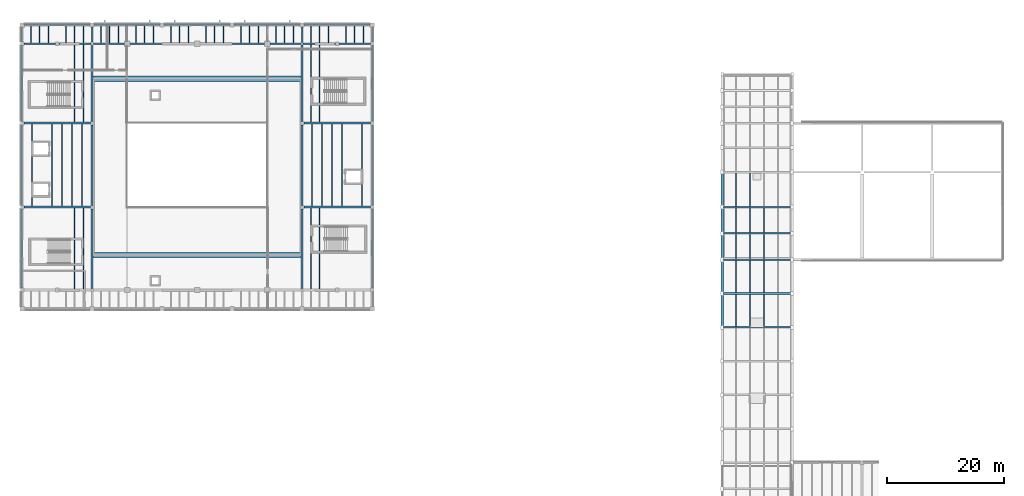
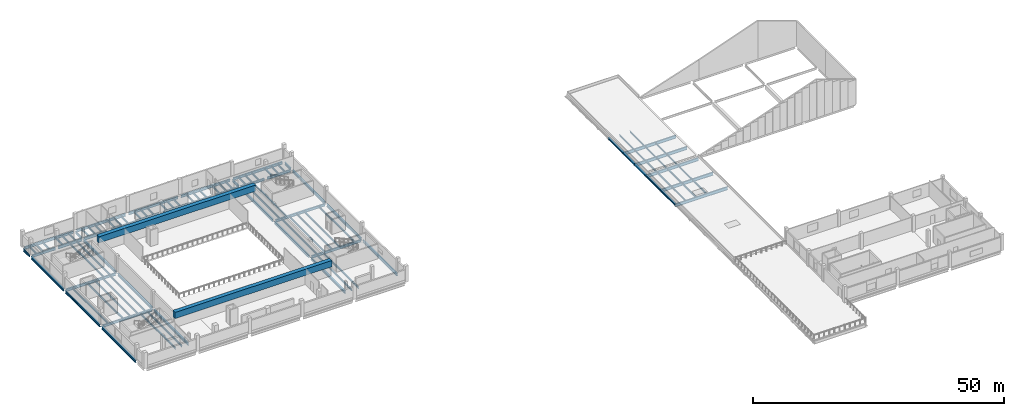
# One storey, part 3 of 19: 107 beams.
"""IFC4 building model written with IfcOpenShell, lengths in metres."""

from ifc_helpers import new_model, si_unit, direction, frame, origin, origin_2d, place, context, subcontext, project, spatial, rectangle, i_section, extrude, material, material_profile, profile_set, type_object, element, save


model = new_model("IFC4")

# Units and contexts
model_context = context("Model", 3, precision=1e-05, world=origin(), true_north=direction((0.0, 1.0)))
body_context = subcontext(model_context, "Body", "Model", "MODEL_VIEW")
ifc_project = project(units=[si_unit("LENGTHUNIT", "METRE"), si_unit("AREAUNIT", "SQUARE_METRE"), si_unit("VOLUMEUNIT", "CUBIC_METRE"), si_unit("PLANEANGLEUNIT", "RADIAN"), si_unit("MASSUNIT", "GRAM", prefix="KILO")], contexts=[model_context])

# Site, building, storey
site_placement = place(None, origin())
site = spatial("IfcSite", under=ifc_project, at=site_placement, CompositionType="ELEMENT")
building_placement = place(site_placement, origin())
building = spatial("IfcBuilding", under=site, at=building_placement, Name="Kelmvaro Bay Concert Hall", CompositionType="ELEMENT")
storey_placement = place(building_placement, frame((0.0, 0.0, 18.300048828125)))
storey = spatial("IfcBuildingStorey", under=building, at=storey_placement, Name="L04", CompositionType="ELEMENT", Elevation=18.300048828125)

# Beams
ifc_material_1 = material(Name="Steel ASTM A992 Grade 50", Category="steel")
ifc_material_profile_1 = material_profile(ifc_material_1, i_section(OverallWidth=0.19189453125, OverallDepth=0.4619140625, WebThickness=0.010498046875, FlangeThickness=0.017578125, at=origin_2d()), Name="W18X60")
ifc_profile_set_1 = profile_set([ifc_material_profile_1], Name="Steel ASTM A992 Grade 50")
beam_type_1 = type_object("IfcBeamType", Name="Acoustic Box Floor Joist W18x60", PredefinedType="JOIST", material=ifc_profile_set_1)
for number, where, z_axis, x_axis, name in (
    (1, (9.0, 68.741943359375, -0.531005859375), (0.0, 1.0, 0.0), (-1.0, 0.0, 0.0), "L04 Floor Joist JST-L04-1857"),
    (2, (10.5, 68.741943359375, -0.531005859375), (0.0, 1.0, 0.0), (-1.0, 0.0, 0.0), "L04 Floor Joist JST-L04-1858"),
    (3, (49.5, 68.741943359375, -0.531005859375), (0.0, 1.0, 0.0), (-1.0, 0.0, 0.0), "L04 Floor Joist JST-L04-1859"),
    (4, (51.0, 68.741943359375, -0.531005859375), (0.0, 1.0, 0.0), (-1.0, 0.0, 0.0), "L04 Floor Joist JST-L04-1860"),
):
    element("IfcBeam", number, at=place(storey_placement, frame(where, z_axis=z_axis, x_axis=x_axis)), inside=storey, type_object=beam_type_1, Name=name, PredefinedType="JOIST", context=body_context, shape_type="SweptSolid", body=[
        extrude(i_section(OverallWidth=0.19189453125, OverallDepth=0.4619140625, WebThickness=0.010498046875, FlangeThickness=0.017578125, at=origin_2d()), origin(), (0.0, 0.0, 1.0), 13.89599609375),
    ])
for number, where, z_axis, x_axis, name in (
    (5, (1.71435546875, 82.9619140625, -0.531005859375), (0.0, 1.0, 0.0), (-1.0, 0.0, 0.0), "L04 Floor Joist JST-L04-1861"),
    (6, (5.142822265625, 82.9619140625, -0.531005859375), (0.0, 1.0, 0.0), (-1.0, 0.0, 0.0), "L04 Floor Joist JST-L04-1862"),
    (7, (6.857177734375, 82.9619140625, -0.531005859375), (0.0, 1.0, 0.0), (-1.0, 0.0, 0.0), "L04 Floor Joist JST-L04-1863"),
    (8, (8.5712890625, 82.9619140625, -0.531005859375), (0.0, 1.0, 0.0), (-1.0, 0.0, 0.0), "L04 Floor Joist JST-L04-1864"),
    (9, (10.28564453125, 82.9619140625, -0.531005859375), (0.0, 1.0, 0.0), (-1.0, 0.0, 0.0), "L04 Floor Joist JST-L04-1865"),
    (10, (49.71435546875, 82.9619140625, -0.531005859375), (0.0, 1.0, 0.0), (-1.0, 0.0, 0.0), "L04 Floor Joist JST-L04-1866"),
    (11, (51.4287109375, 82.9619140625, -0.531005859375), (0.0, 1.0, 0.0), (-1.0, 0.0, 0.0), "L04 Floor Joist JST-L04-1867"),
    (12, (53.142822265625, 82.9619140625, -0.531005859375), (0.0, 1.0, 0.0), (-1.0, 0.0, 0.0), "L04 Floor Joist JST-L04-1868"),
    (13, (54.857177734375, 82.9619140625, -0.531005859375), (0.0, 1.0, 0.0), (-1.0, 0.0, 0.0), "L04 Floor Joist JST-L04-1869"),
    (14, (58.28564453125, 82.9619140625, -0.531005859375), (0.0, 1.0, 0.0), (-1.0, 0.0, 0.0), "L04 Floor Joist JST-L04-1870"),
):
    element("IfcBeam", number, at=place(storey_placement, frame(where, z_axis=z_axis, x_axis=x_axis)), inside=storey, type_object=beam_type_1, Name=name, PredefinedType="JOIST", context=body_context, shape_type="SweptSolid", body=[
        extrude(i_section(OverallWidth=0.19189453125, OverallDepth=0.4619140625, WebThickness=0.010498046875, FlangeThickness=0.017578125, at=origin_2d()), origin(), (0.0, 0.0, 1.0), 14.076171875),
    ])
for number, where, z_axis, x_axis, name in (
    (15, (9.0, 97.362060546875, -0.531005859375), (0.0, 1.0, 0.0), (-1.0, 0.0, 0.0), "L04 Floor Joist JST-L04-1871"),
    (16, (10.5, 97.362060546875, -0.531005859375), (0.0, 1.0, 0.0), (-1.0, 0.0, 0.0), "L04 Floor Joist JST-L04-1872"),
    (17, (49.5, 97.362060546875, -0.531005859375), (0.0, 1.0, 0.0), (-1.0, 0.0, 0.0), "L04 Floor Joist JST-L04-1873"),
    (18, (51.0, 97.362060546875, -0.531005859375), (0.0, 1.0, 0.0), (-1.0, 0.0, 0.0), "L04 Floor Joist JST-L04-1874"),
):
    element("IfcBeam", number, at=place(storey_placement, frame(where, z_axis=z_axis, x_axis=x_axis)), inside=storey, type_object=beam_type_1, Name=name, PredefinedType="JOIST", context=body_context, shape_type="SweptSolid", body=[
        extrude(i_section(OverallWidth=0.19189453125, OverallDepth=0.4619140625, WebThickness=0.010498046875, FlangeThickness=0.017578125, at=origin_2d()), origin(), (0.0, 0.0, 1.0), 13.2958984375),
    ])
ifc_material_2 = material(Name="Concrete C40/50", Category="concrete")
ifc_material_profile_2 = material_profile(ifc_material_2, rectangle(XDim=0.89990234375, YDim=1.5, at=origin_2d()), Name="RC-TRG-900X1500")
ifc_profile_set_2 = profile_set([ifc_material_profile_2], Name="Concrete C40/50")
beam_type_2 = type_object("IfcBeamType", Name="Acoustic Isolation Ring Girder RC900x1500", PredefinedType="BEAM", material=ifc_profile_set_2)
for number, where, z_axis, x_axis, name in (
    (19, (12.0048828125, 74.580078125, 3.139892578125), (1.0, 0.0, 0.0), (0.0, 1.0, 0.0), "V1 Acoustic Isolation Ring Girder S"),
    (20, (12.0048828125, 104.820068359375, 3.139892578125), (1.0, 0.0, 0.0), (0.0, 1.0, 0.0), "V1 Acoustic Isolation Ring Girder N"),
):
    element("IfcBeam", number, at=place(storey_placement, frame(where, z_axis=z_axis, x_axis=x_axis)), inside=storey, type_object=beam_type_2, Name=name, PredefinedType="BEAM", context=body_context, shape_type="SweptSolid", body=[
        extrude(rectangle(XDim=0.89990234375, YDim=1.5, at=origin_2d()), origin(), (0.0, 0.0, 1.0), 35.990234375),
    ])
ifc_material_3 = material(Name="Steel ASTM A992 Grade 50", Category="steel")
ifc_material_profile_3 = material_profile(ifc_material_3, i_section(OverallWidth=0.177978515625, OverallDepth=0.406005859375, WebThickness=0.0078125, FlangeThickness=0.0126953125, at=origin_2d()), Name="W16X40")
ifc_profile_set_3 = profile_set([ifc_material_profile_3], Name="Steel ASTM A992 Grade 50")
beam_type_3 = type_object("IfcBeamType", Name="Bridge Deck Floor Joist W16x40", PredefinedType="JOIST", material=ifc_profile_set_3)
for number, where, z_axis, x_axis, name in (
    (21, (122.39990234375, 62.33349609375, -0.483154296875), (0.0, 1.0, 0.0), (-1.0, 0.0, 0.0), "Bridge Deck Joist L04-13"),
    (22, (124.800048828125, 62.33349609375, -0.483154296875), (0.0, 1.0, 0.0), (-1.0, 0.0, 0.0), "Bridge Deck Joist L04-13"),
    (23, (127.199951171875, 62.33349609375, -0.483154296875), (0.0, 1.0, 0.0), (-1.0, 0.0, 0.0), "Bridge Deck Joist L04-13"),
    (24, (122.39990234375, 68.133544921875, -0.483154296875), (0.0, 1.0, 0.0), (-1.0, 0.0, 0.0), "Bridge Deck Joist L04-14"),
    (25, (124.800048828125, 68.133544921875, -0.483154296875), (0.0, 1.0, 0.0), (-1.0, 0.0, 0.0), "Bridge Deck Joist L04-14"),
    (26, (127.199951171875, 68.133544921875, -0.483154296875), (0.0, 1.0, 0.0), (-1.0, 0.0, 0.0), "Bridge Deck Joist L04-14"),
):
    element("IfcBeam", number, at=place(storey_placement, frame(where, z_axis=z_axis, x_axis=x_axis)), inside=storey, type_object=beam_type_3, Name=name, PredefinedType="JOIST", context=body_context, shape_type="SweptSolid", body=[
        extrude(i_section(OverallWidth=0.177978515625, OverallDepth=0.406005859375, WebThickness=0.0078125, FlangeThickness=0.0126953125, at=origin_2d()), origin(), (0.0, 0.0, 1.0), 5.532958984375),
    ])
for number, where, z_axis, x_axis, name in (
    (27, (122.39990234375, 73.93359375, -0.483154296875), (0.0, 1.0, 0.0), (-1.0, 0.0, 0.0), "Bridge Deck Joist L04-15"),
    (28, (124.800048828125, 73.93359375, -0.483154296875), (0.0, 1.0, 0.0), (-1.0, 0.0, 0.0), "Bridge Deck Joist L04-15"),
    (29, (127.199951171875, 73.93359375, -0.483154296875), (0.0, 1.0, 0.0), (-1.0, 0.0, 0.0), "Bridge Deck Joist L04-15"),
    (30, (122.39990234375, 78.43359375, -0.483154296875), (0.0, 1.0, 0.0), (-1.0, 0.0, 0.0), "Bridge Deck Joist L04-16"),
    (31, (124.800048828125, 78.43359375, -0.483154296875), (0.0, 1.0, 0.0), (-1.0, 0.0, 0.0), "Bridge Deck Joist L04-16"),
    (32, (127.199951171875, 78.43359375, -0.483154296875), (0.0, 1.0, 0.0), (-1.0, 0.0, 0.0), "Bridge Deck Joist L04-16"),
):
    element("IfcBeam", number, at=place(storey_placement, frame(where, z_axis=z_axis, x_axis=x_axis)), inside=storey, type_object=beam_type_3, Name=name, PredefinedType="JOIST", context=body_context, shape_type="SweptSolid", body=[
        extrude(i_section(OverallWidth=0.177978515625, OverallDepth=0.406005859375, WebThickness=0.0078125, FlangeThickness=0.0126953125, at=origin_2d()), origin(), (0.0, 0.0, 1.0), 4.23291015625),
    ])
for number, where, z_axis, x_axis, name in (
    (33, (122.39990234375, 82.93359375, -0.483154296875), (0.0, 1.0, 0.0), (-1.0, 0.0, 0.0), "Bridge Deck Joist L04-17"),
    (34, (124.800048828125, 82.93359375, -0.483154296875), (0.0, 1.0, 0.0), (-1.0, 0.0, 0.0), "Bridge Deck Joist L04-17"),
):
    element("IfcBeam", number, at=place(storey_placement, frame(where, z_axis=z_axis, x_axis=x_axis)), inside=storey, type_object=beam_type_3, Name=name, PredefinedType="JOIST", context=body_context, shape_type="SweptSolid", body=[
        extrude(i_section(OverallWidth=0.177978515625, OverallDepth=0.406005859375, WebThickness=0.0078125, FlangeThickness=0.0126953125, at=origin_2d()), origin(), (0.0, 0.0, 1.0), 5.73291015625),
    ])
ifc_material_4 = material(Name="Steel ASTM A992 Grade 50", Category="steel")
ifc_material_profile_4 = material_profile(ifc_material_4, i_section(OverallWidth=0.26708984375, OverallDepth=0.761962890625, WebThickness=0.014404296875, FlangeThickness=0.021484375, at=origin_2d()), Name="W30X116")
ifc_profile_set_4 = profile_set([ifc_material_profile_4], Name="Steel ASTM A992 Grade 50")
beam_type_4 = type_object("IfcBeamType", Name="Bridge Transverse Floor Girder W30x116", PredefinedType="BEAM", material=ifc_profile_set_4)
for number, where, z_axis, x_axis, name in (
    (35, (120.0400390625, 62.199951171875, -0.6611328125), (1.0, 0.0, 0.0), (0.0, 1.0, 0.0), "Bridge Transverse Floor Girder L04-13"),
    (36, (120.0400390625, 68.0, -0.6611328125), (1.0, 0.0, 0.0), (0.0, 1.0, 0.0), "Bridge Transverse Floor Girder L04-14"),
    (37, (120.0400390625, 73.800048828125, -0.6611328125), (1.0, 0.0, 0.0), (0.0, 1.0, 0.0), "Bridge Transverse Floor Girder L04-15"),
    (38, (120.0400390625, 78.300048828125, -0.6611328125), (1.0, 0.0, 0.0), (0.0, 1.0, 0.0), "Bridge Transverse Floor Girder L04-16"),
    (39, (120.0400390625, 82.800048828125, -0.6611328125), (1.0, 0.0, 0.0), (0.0, 1.0, 0.0), "Bridge Transverse Floor Girder L04-17"),
):
    element("IfcBeam", number, at=place(storey_placement, frame(where, z_axis=z_axis, x_axis=x_axis)), inside=storey, type_object=beam_type_4, Name=name, PredefinedType="BEAM", context=body_context, shape_type="SweptSolid", body=[
        extrude(i_section(OverallWidth=0.26708984375, OverallDepth=0.761962890625, WebThickness=0.014404296875, FlangeThickness=0.021484375, at=origin_2d()), origin(), (0.0, 0.0, 1.0), 11.919921875),
    ])
ifc_material_5 = material(Name="Steel ASTM A992 Grade 50", Category="steel")
ifc_material_profile_5 = material_profile(ifc_material_5, i_section(OverallWidth=0.40087890625, OverallDepth=0.39892578125, WebThickness=0.02490234375, FlangeThickness=0.03955078125, at=origin_2d()), Name="W14X211")
ifc_profile_set_5 = profile_set([ifc_material_profile_5], Name="Steel ASTM A992 Grade 50")
beam_type_5 = type_object("IfcBeamType", Name="Bridge Truss Top Chord W14x211", PredefinedType="BEAM", material=ifc_profile_set_5)
for number, where, z_axis, x_axis, name in (
    (40, (120.0, 62.199951171875, -0.4794921875), (0.0, 1.0, 0.0), (-1.0, 0.0, 0.0), "Bridge Truss W Top Chord 13"),
    (41, (120.0, 68.0, -0.4794921875), (0.0, 1.0, 0.0), (-1.0, 0.0, 0.0), "Bridge Truss W Top Chord 14"),
):
    element("IfcBeam", number, at=place(storey_placement, frame(where, z_axis=z_axis, x_axis=x_axis)), inside=storey, type_object=beam_type_5, Name=name, PredefinedType="BEAM", context=body_context, shape_type="SweptSolid", body=[
        extrude(i_section(OverallWidth=0.40087890625, OverallDepth=0.39892578125, WebThickness=0.02490234375, FlangeThickness=0.03955078125, at=origin_2d()), origin(), (0.0, 0.0, 1.0), 5.800048828125),
    ])
for number, where, z_axis, x_axis, name in (
    (42, (120.0, 73.800048828125, -0.4794921875), (0.0, 1.0, 0.0), (-1.0, 0.0, 0.0), "Bridge Truss W Top Chord 15"),
    (43, (120.0, 78.300048828125, -0.4794921875), (0.0, 1.0, 0.0), (-1.0, 0.0, 0.0), "Bridge Truss W Top Chord 16"),
):
    element("IfcBeam", number, at=place(storey_placement, frame(where, z_axis=z_axis, x_axis=x_axis)), inside=storey, type_object=beam_type_5, Name=name, PredefinedType="BEAM", context=body_context, shape_type="SweptSolid", body=[
        extrude(i_section(OverallWidth=0.40087890625, OverallDepth=0.39892578125, WebThickness=0.02490234375, FlangeThickness=0.03955078125, at=origin_2d()), origin(), (0.0, 0.0, 1.0), 4.5),
    ])
beam_1_placement = place(storey_placement, frame((120.0, 82.800048828125, -0.4794921875), z_axis=(0.0, 1.0, 0.0), x_axis=(-1.0, 0.0, 0.0)))
element("IfcBeam", 44, at=beam_1_placement, inside=storey, type_object=beam_type_5, Name="Bridge Truss W Top Chord 17", PredefinedType="BEAM", context=body_context, shape_type="SweptSolid", body=[
    extrude(i_section(OverallWidth=0.40087890625, OverallDepth=0.39892578125, WebThickness=0.02490234375, FlangeThickness=0.03955078125, at=origin_2d()), origin(), (0.0, 0.0, 1.0), 6.0),
])
ifc_material_6 = material(Name="Steel ASTM A992 Grade 50", Category="steel")
ifc_material_profile_6 = material_profile(ifc_material_6, i_section(OverallWidth=0.323974609375, OverallDepth=0.611083984375, WebThickness=0.0126953125, FlangeThickness=0.01904296875, at=origin_2d()), Name="W24X104")
ifc_profile_set_6 = profile_set([ifc_material_profile_6], Name="Steel ASTM A992 Grade 50")
beam_type_6 = type_object("IfcBeamType", Name="Foyer Frame Girder W24x104", PredefinedType="BEAM", material=ifc_profile_set_6)
for number, where, z_axis, x_axis, name in (
    (45, (0.324951171875, 82.800048828125, -0.60546875), (1.0, 0.0, 0.0), (0.0, 1.0, 0.0), "L04 Girder BM-L04-EW-1730"),
    (46, (48.324951171875, 82.800048828125, -0.60546875), (1.0, 0.0, 0.0), (0.0, 1.0, 0.0), "L04 Girder BM-L04-EW-1731"),
    (47, (0.324951171875, 97.199951171875, -0.60546875), (1.0, 0.0, 0.0), (0.0, 1.0, 0.0), "L04 Girder BM-L04-EW-1735"),
    (48, (48.324951171875, 97.199951171875, -0.60546875), (1.0, 0.0, 0.0), (0.0, 1.0, 0.0), "L04 Girder BM-L04-EW-1736"),
):
    element("IfcBeam", number, at=place(storey_placement, frame(where, z_axis=z_axis, x_axis=x_axis)), inside=storey, type_object=beam_type_6, Name=name, PredefinedType="BEAM", context=body_context, shape_type="SweptSolid", body=[
        extrude(i_section(OverallWidth=0.323974609375, OverallDepth=0.611083984375, WebThickness=0.0126953125, FlangeThickness=0.01904296875, at=origin_2d()), origin(), (0.0, 0.0, 1.0), 11.35009765625),
    ])
beam_2_placement = place(storey_placement, frame((0.324951171875, 110.820068359375, -0.60546875), z_axis=(1.0, 0.0, 0.0), x_axis=(0.0, 1.0, 0.0)))
element("IfcBeam", 49, at=beam_2_placement, inside=storey, type_object=beam_type_6, Name="L04 Girder BM-L04-EW-1740", PredefinedType="BEAM", context=body_context, shape_type="SweptSolid", body=[
    extrude(i_section(OverallWidth=0.323974609375, OverallDepth=0.611083984375, WebThickness=0.0126953125, FlangeThickness=0.01904296875, at=origin_2d()), origin(), (0.0, 0.0, 1.0), 5.35009765625),
])
beam_3_placement = place(storey_placement, frame((6.324951171875, 110.820068359375, -0.60546875), z_axis=(1.0, 0.0, 0.0), x_axis=(0.0, 1.0, 0.0)))
element("IfcBeam", 50, at=beam_3_placement, inside=storey, type_object=beam_type_6, Name="L04 Girder BM-L04-EW-1741", PredefinedType="BEAM", context=body_context, shape_type="SweptSolid", body=[
    extrude(i_section(OverallWidth=0.323974609375, OverallDepth=0.611083984375, WebThickness=0.0126953125, FlangeThickness=0.01904296875, at=origin_2d()), origin(), (0.0, 0.0, 1.0), 5.47509765625),
])
beam_4_placement = place(storey_placement, frame((12.199951171875, 110.820068359375, -0.60546875), z_axis=(1.0, 0.0, 0.0), x_axis=(0.0, 1.0, 0.0)))
element("IfcBeam", 51, at=beam_4_placement, inside=storey, type_object=beam_type_6, Name="L04 Girder BM-L04-EW-1742", PredefinedType="BEAM", context=body_context, shape_type="SweptSolid", body=[
    extrude(i_section(OverallWidth=0.323974609375, OverallDepth=0.611083984375, WebThickness=0.0126953125, FlangeThickness=0.01904296875, at=origin_2d()), origin(), (0.0, 0.0, 1.0), 5.35009765625),
])
for number, where, z_axis, x_axis, name in (
    (52, (18.449951171875, 110.820068359375, -0.60546875), (1.0, 0.0, 0.0), (0.0, 1.0, 0.0), "L04 Girder BM-L04-EW-1743"),
    (53, (30.449951171875, 110.820068359375, -0.60546875), (1.0, 0.0, 0.0), (0.0, 1.0, 0.0), "L04 Girder BM-L04-EW-1744"),
):
    element("IfcBeam", number, at=place(storey_placement, frame(where, z_axis=z_axis, x_axis=x_axis)), inside=storey, type_object=beam_type_6, Name=name, PredefinedType="BEAM", context=body_context, shape_type="SweptSolid", body=[
        extrude(i_section(OverallWidth=0.323974609375, OverallDepth=0.611083984375, WebThickness=0.0126953125, FlangeThickness=0.01904296875, at=origin_2d()), origin(), (0.0, 0.0, 1.0), 11.10009765625),
    ])
beam_5_placement = place(storey_placement, frame((42.449951171875, 110.820068359375, -0.60546875), z_axis=(1.0, 0.0, 0.0), x_axis=(0.0, 1.0, 0.0)))
element("IfcBeam", 54, at=beam_5_placement, inside=storey, type_object=beam_type_6, Name="L04 Girder BM-L04-EW-1745", PredefinedType="BEAM", context=body_context, shape_type="SweptSolid", body=[
    extrude(i_section(OverallWidth=0.323974609375, OverallDepth=0.611083984375, WebThickness=0.0126953125, FlangeThickness=0.01904296875, at=origin_2d()), origin(), (0.0, 0.0, 1.0), 5.375),
])
beam_6_placement = place(storey_placement, frame((48.175048828125, 110.820068359375, -0.60546875), z_axis=(1.0, 0.0, 0.0), x_axis=(0.0, 1.0, 0.0)))
element("IfcBeam", 55, at=beam_6_placement, inside=storey, type_object=beam_type_6, Name="L04 Girder BM-L04-EW-1746", PredefinedType="BEAM", context=body_context, shape_type="SweptSolid", body=[
    extrude(i_section(OverallWidth=0.323974609375, OverallDepth=0.611083984375, WebThickness=0.0126953125, FlangeThickness=0.01904296875, at=origin_2d()), origin(), (0.0, 0.0, 1.0), 5.5),
])
beam_7_placement = place(storey_placement, frame((54.324951171875, 110.820068359375, -0.60546875), z_axis=(1.0, 0.0, 0.0), x_axis=(0.0, 1.0, 0.0)))
element("IfcBeam", 56, at=beam_7_placement, inside=storey, type_object=beam_type_6, Name="L04 Girder BM-L04-EW-1747", PredefinedType="BEAM", context=body_context, shape_type="SweptSolid", body=[
    extrude(i_section(OverallWidth=0.323974609375, OverallDepth=0.611083984375, WebThickness=0.0126953125, FlangeThickness=0.01904296875, at=origin_2d()), origin(), (0.0, 0.0, 1.0), 5.35009765625),
])
beam_8_placement = place(storey_placement, frame((0.375, 114.0, -0.60546875), z_axis=(1.0, 0.0, 0.0), x_axis=(0.0, 1.0, 0.0)))
element("IfcBeam", 57, at=beam_8_placement, inside=storey, type_object=beam_type_6, Name="L04 Girder BM-L04-EW-1748", PredefinedType="BEAM", context=body_context, shape_type="SweptSolid", body=[
    extrude(i_section(OverallWidth=0.323974609375, OverallDepth=0.611083984375, WebThickness=0.0126953125, FlangeThickness=0.01904296875, at=origin_2d()), origin(), (0.0, 0.0, 1.0), 11.27490234375),
])
for number, where, z_axis, x_axis, name in (
    (58, (12.35009765625, 114.0, -0.60546875), (1.0, 0.0, 0.0), (0.0, 1.0, 0.0), "L04 Girder BM-L04-EW-1749"),
    (59, (24.35009765625, 114.0, -0.60546875), (1.0, 0.0, 0.0), (0.0, 1.0, 0.0), "L04 Girder BM-L04-EW-1750"),
    (60, (36.35009765625, 114.0, -0.60546875), (1.0, 0.0, 0.0), (0.0, 1.0, 0.0), "L04 Girder BM-L04-EW-1751"),
):
    element("IfcBeam", number, at=place(storey_placement, frame(where, z_axis=z_axis, x_axis=x_axis)), inside=storey, type_object=beam_type_6, Name=name, PredefinedType="BEAM", context=body_context, shape_type="SweptSolid", body=[
        extrude(i_section(OverallWidth=0.323974609375, OverallDepth=0.611083984375, WebThickness=0.0126953125, FlangeThickness=0.01904296875, at=origin_2d()), origin(), (0.0, 0.0, 1.0), 11.2998046875),
    ])
beam_9_placement = place(storey_placement, frame((48.35009765625, 114.0, -0.60546875), z_axis=(1.0, 0.0, 0.0), x_axis=(0.0, 1.0, 0.0)))
element("IfcBeam", 61, at=beam_9_placement, inside=storey, type_object=beam_type_6, Name="L04 Girder BM-L04-EW-1752", PredefinedType="BEAM", context=body_context, shape_type="SweptSolid", body=[
    extrude(i_section(OverallWidth=0.323974609375, OverallDepth=0.611083984375, WebThickness=0.0126953125, FlangeThickness=0.01904296875, at=origin_2d()), origin(), (0.0, 0.0, 1.0), 11.27490234375),
])
beam_10_placement = place(storey_placement, frame((0.0, 68.905029296875, -0.60546875), z_axis=(0.0, 1.0, 0.0), x_axis=(-1.0, 0.0, 0.0)))
element("IfcBeam", 62, at=beam_10_placement, inside=storey, type_object=beam_type_6, Name="L04 Girder BM-L04-NS-1754", PredefinedType="BEAM", context=body_context, shape_type="SweptSolid", body=[
    extrude(i_section(OverallWidth=0.323974609375, OverallDepth=0.611083984375, WebThickness=0.0126953125, FlangeThickness=0.01904296875, at=origin_2d()), origin(), (0.0, 0.0, 1.0), 13.570068359375),
])
beam_11_placement = place(storey_placement, frame((0.0, 83.125, -0.60546875), z_axis=(0.0, 1.0, 0.0), x_axis=(-1.0, 0.0, 0.0)))
element("IfcBeam", 63, at=beam_11_placement, inside=storey, type_object=beam_type_6, Name="L04 Girder BM-L04-NS-1755", PredefinedType="BEAM", context=body_context, shape_type="SweptSolid", body=[
    extrude(i_section(OverallWidth=0.323974609375, OverallDepth=0.611083984375, WebThickness=0.0126953125, FlangeThickness=0.01904296875, at=origin_2d()), origin(), (0.0, 0.0, 1.0), 13.75),
])
beam_12_placement = place(storey_placement, frame((0.0, 97.52490234375, -0.60546875), z_axis=(0.0, 1.0, 0.0), x_axis=(-1.0, 0.0, 0.0)))
element("IfcBeam", 64, at=beam_12_placement, inside=storey, type_object=beam_type_6, Name="L04 Girder BM-L04-NS-1756", PredefinedType="BEAM", context=body_context, shape_type="SweptSolid", body=[
    extrude(i_section(OverallWidth=0.323974609375, OverallDepth=0.611083984375, WebThickness=0.0126953125, FlangeThickness=0.01904296875, at=origin_2d()), origin(), (0.0, 0.0, 1.0), 12.97021484375),
])
beam_13_placement = place(storey_placement, frame((12.0, 68.85498046875, -0.60546875), z_axis=(0.0, 1.0, 0.0), x_axis=(-1.0, 0.0, 0.0)))
element("IfcBeam", 65, at=beam_13_placement, inside=storey, type_object=beam_type_6, Name="L04 Girder BM-L04-NS-1759", PredefinedType="BEAM", context=body_context, shape_type="SweptSolid", body=[
    extrude(i_section(OverallWidth=0.323974609375, OverallDepth=0.611083984375, WebThickness=0.0126953125, FlangeThickness=0.01904296875, at=origin_2d()), origin(), (0.0, 0.0, 1.0), 13.6201171875),
])
beam_14_placement = place(storey_placement, frame((12.0, 83.125, -0.60546875), z_axis=(0.0, 1.0, 0.0), x_axis=(-1.0, 0.0, 0.0)))
element("IfcBeam", 66, at=beam_14_placement, inside=storey, type_object=beam_type_6, Name="L04 Girder BM-L04-NS-1760", PredefinedType="BEAM", context=body_context, shape_type="SweptSolid", body=[
    extrude(i_section(OverallWidth=0.323974609375, OverallDepth=0.611083984375, WebThickness=0.0126953125, FlangeThickness=0.01904296875, at=origin_2d()), origin(), (0.0, 0.0, 1.0), 13.75),
])
beam_15_placement = place(storey_placement, frame((12.0, 97.52490234375, -0.60546875), z_axis=(0.0, 1.0, 0.0), x_axis=(-1.0, 0.0, 0.0)))
element("IfcBeam", 67, at=beam_15_placement, inside=storey, type_object=beam_type_6, Name="L04 Girder BM-L04-NS-1761", PredefinedType="BEAM", context=body_context, shape_type="SweptSolid", body=[
    extrude(i_section(OverallWidth=0.323974609375, OverallDepth=0.611083984375, WebThickness=0.0126953125, FlangeThickness=0.01904296875, at=origin_2d()), origin(), (0.0, 0.0, 1.0), 13.02001953125),
])
beam_16_placement = place(storey_placement, frame((48.0, 68.830078125, -0.60546875), z_axis=(0.0, 1.0, 0.0), x_axis=(-1.0, 0.0, 0.0)))
element("IfcBeam", 68, at=beam_16_placement, inside=storey, type_object=beam_type_6, Name="L04 Girder BM-L04-NS-1764", PredefinedType="BEAM", context=body_context, shape_type="SweptSolid", body=[
    extrude(i_section(OverallWidth=0.323974609375, OverallDepth=0.611083984375, WebThickness=0.0126953125, FlangeThickness=0.01904296875, at=origin_2d()), origin(), (0.0, 0.0, 1.0), 13.64501953125),
])
beam_17_placement = place(storey_placement, frame((48.0, 83.125, -0.60546875), z_axis=(0.0, 1.0, 0.0), x_axis=(-1.0, 0.0, 0.0)))
element("IfcBeam", 69, at=beam_17_placement, inside=storey, type_object=beam_type_6, Name="L04 Girder BM-L04-NS-1765", PredefinedType="BEAM", context=body_context, shape_type="SweptSolid", body=[
    extrude(i_section(OverallWidth=0.323974609375, OverallDepth=0.611083984375, WebThickness=0.0126953125, FlangeThickness=0.01904296875, at=origin_2d()), origin(), (0.0, 0.0, 1.0), 13.75),
])
beam_18_placement = place(storey_placement, frame((48.0, 97.52490234375, -0.60546875), z_axis=(0.0, 1.0, 0.0), x_axis=(-1.0, 0.0, 0.0)))
element("IfcBeam", 70, at=beam_18_placement, inside=storey, type_object=beam_type_6, Name="L04 Girder BM-L04-NS-1766", PredefinedType="BEAM", context=body_context, shape_type="SweptSolid", body=[
    extrude(i_section(OverallWidth=0.323974609375, OverallDepth=0.611083984375, WebThickness=0.0126953125, FlangeThickness=0.01904296875, at=origin_2d()), origin(), (0.0, 0.0, 1.0), 13.045166015625),
])
beam_19_placement = place(storey_placement, frame((60.0, 68.905029296875, -0.60546875), z_axis=(0.0, 1.0, 0.0), x_axis=(-1.0, 0.0, 0.0)))
element("IfcBeam", 71, at=beam_19_placement, inside=storey, type_object=beam_type_6, Name="L04 Girder BM-L04-NS-1769", PredefinedType="BEAM", context=body_context, shape_type="SweptSolid", body=[
    extrude(i_section(OverallWidth=0.323974609375, OverallDepth=0.611083984375, WebThickness=0.0126953125, FlangeThickness=0.01904296875, at=origin_2d()), origin(), (0.0, 0.0, 1.0), 13.570068359375),
])
beam_20_placement = place(storey_placement, frame((60.0, 83.125, -0.60546875), z_axis=(0.0, 1.0, 0.0), x_axis=(-1.0, 0.0, 0.0)))
element("IfcBeam", 72, at=beam_20_placement, inside=storey, type_object=beam_type_6, Name="L04 Girder BM-L04-NS-1770", PredefinedType="BEAM", context=body_context, shape_type="SweptSolid", body=[
    extrude(i_section(OverallWidth=0.323974609375, OverallDepth=0.611083984375, WebThickness=0.0126953125, FlangeThickness=0.01904296875, at=origin_2d()), origin(), (0.0, 0.0, 1.0), 13.75),
])
beam_21_placement = place(storey_placement, frame((60.0, 97.52490234375, -0.60546875), z_axis=(0.0, 1.0, 0.0), x_axis=(-1.0, 0.0, 0.0)))
element("IfcBeam", 73, at=beam_21_placement, inside=storey, type_object=beam_type_6, Name="L04 Girder BM-L04-NS-1771", PredefinedType="BEAM", context=body_context, shape_type="SweptSolid", body=[
    extrude(i_section(OverallWidth=0.323974609375, OverallDepth=0.611083984375, WebThickness=0.0126953125, FlangeThickness=0.01904296875, at=origin_2d()), origin(), (0.0, 0.0, 1.0), 12.97021484375),
])
ifc_material_7 = material(Name="Steel ASTM A992 Grade 50", Category="steel")
ifc_material_profile_7 = material_profile(ifc_material_7, i_section(OverallWidth=0.19091796875, OverallDepth=0.45703125, WebThickness=0.009033203125, FlangeThickness=0.014404296875, at=origin_2d()), Name="W18X50")
ifc_profile_set_7 = profile_set([ifc_material_profile_7], Name="Steel ASTM A992 Grade 50")
beam_type_7 = type_object("IfcBeamType", Name="Standard Composite Floor Joist W18x50", PredefinedType="JOIST", material=ifc_profile_set_7)
for number, where, z_axis, x_axis, name in (
    (74, (1.5, 110.98193359375, -0.528564453125), (0.0, 1.0, 0.0), (-1.0, 0.0, 0.0), "L04 Floor Joist JST-L04-1875"),
    (75, (3.0, 110.98193359375, -0.528564453125), (0.0, 1.0, 0.0), (-1.0, 0.0, 0.0), "L04 Floor Joist JST-L04-1876"),
    (76, (4.5, 110.98193359375, -0.528564453125), (0.0, 1.0, 0.0), (-1.0, 0.0, 0.0), "L04 Floor Joist JST-L04-1877"),
    (77, (7.5, 110.98193359375, -0.528564453125), (0.0, 1.0, 0.0), (-1.0, 0.0, 0.0), "L04 Floor Joist JST-L04-1878"),
    (78, (9.0, 110.98193359375, -0.528564453125), (0.0, 1.0, 0.0), (-1.0, 0.0, 0.0), "L04 Floor Joist JST-L04-1879"),
    (79, (10.5, 110.98193359375, -0.528564453125), (0.0, 1.0, 0.0), (-1.0, 0.0, 0.0), "L04 Floor Joist JST-L04-1880"),
    (80, (13.5, 110.98193359375, -0.528564453125), (0.0, 1.0, 0.0), (-1.0, 0.0, 0.0), "L04 Floor Joist JST-L04-1881"),
    (81, (15.0, 110.98193359375, -0.528564453125), (0.0, 1.0, 0.0), (-1.0, 0.0, 0.0), "L04 Floor Joist JST-L04-1882"),
    (82, (16.5, 110.98193359375, -0.528564453125), (0.0, 1.0, 0.0), (-1.0, 0.0, 0.0), "L04 Floor Joist JST-L04-1883"),
    (83, (19.5, 110.98193359375, -0.528564453125), (0.0, 1.0, 0.0), (-1.0, 0.0, 0.0), "L04 Floor Joist JST-L04-1884"),
    (84, (21.0, 110.98193359375, -0.528564453125), (0.0, 1.0, 0.0), (-1.0, 0.0, 0.0), "L04 Floor Joist JST-L04-1885"),
    (85, (22.5, 110.98193359375, -0.528564453125), (0.0, 1.0, 0.0), (-1.0, 0.0, 0.0), "L04 Floor Joist JST-L04-1886"),
    (86, (25.5, 110.98193359375, -0.528564453125), (0.0, 1.0, 0.0), (-1.0, 0.0, 0.0), "L04 Floor Joist JST-L04-1887"),
    (87, (27.0, 110.98193359375, -0.528564453125), (0.0, 1.0, 0.0), (-1.0, 0.0, 0.0), "L04 Floor Joist JST-L04-1888"),
    (88, (28.5, 110.98193359375, -0.528564453125), (0.0, 1.0, 0.0), (-1.0, 0.0, 0.0), "L04 Floor Joist JST-L04-1889"),
    (89, (31.5, 110.98193359375, -0.528564453125), (0.0, 1.0, 0.0), (-1.0, 0.0, 0.0), "L04 Floor Joist JST-L04-1890"),
    (90, (33.0, 110.98193359375, -0.528564453125), (0.0, 1.0, 0.0), (-1.0, 0.0, 0.0), "L04 Floor Joist JST-L04-1891"),
    (91, (34.5, 110.98193359375, -0.528564453125), (0.0, 1.0, 0.0), (-1.0, 0.0, 0.0), "L04 Floor Joist JST-L04-1892"),
    (92, (37.5, 110.98193359375, -0.528564453125), (0.0, 1.0, 0.0), (-1.0, 0.0, 0.0), "L04 Floor Joist JST-L04-1893"),
    (93, (39.0, 110.98193359375, -0.528564453125), (0.0, 1.0, 0.0), (-1.0, 0.0, 0.0), "L04 Floor Joist JST-L04-1894"),
    (94, (40.5, 110.98193359375, -0.528564453125), (0.0, 1.0, 0.0), (-1.0, 0.0, 0.0), "L04 Floor Joist JST-L04-1895"),
    (95, (43.5, 110.98193359375, -0.528564453125), (0.0, 1.0, 0.0), (-1.0, 0.0, 0.0), "L04 Floor Joist JST-L04-1896"),
    (96, (45.0, 110.98193359375, -0.528564453125), (0.0, 1.0, 0.0), (-1.0, 0.0, 0.0), "L04 Floor Joist JST-L04-1897"),
    (97, (46.5, 110.98193359375, -0.528564453125), (0.0, 1.0, 0.0), (-1.0, 0.0, 0.0), "L04 Floor Joist JST-L04-1898"),
    (98, (49.5, 110.98193359375, -0.528564453125), (0.0, 1.0, 0.0), (-1.0, 0.0, 0.0), "L04 Floor Joist JST-L04-1899"),
    (99, (51.0, 110.98193359375, -0.528564453125), (0.0, 1.0, 0.0), (-1.0, 0.0, 0.0), "L04 Floor Joist JST-L04-1900"),
    (100, (52.5, 110.98193359375, -0.528564453125), (0.0, 1.0, 0.0), (-1.0, 0.0, 0.0), "L04 Floor Joist JST-L04-1901"),
    (101, (55.5, 110.98193359375, -0.528564453125), (0.0, 1.0, 0.0), (-1.0, 0.0, 0.0), "L04 Floor Joist JST-L04-1902"),
    (102, (57.0, 110.98193359375, -0.528564453125), (0.0, 1.0, 0.0), (-1.0, 0.0, 0.0), "L04 Floor Joist JST-L04-1903"),
    (103, (58.5, 110.98193359375, -0.528564453125), (0.0, 1.0, 0.0), (-1.0, 0.0, 0.0), "L04 Floor Joist JST-L04-1904"),
):
    element("IfcBeam", number, at=place(storey_placement, frame(where, z_axis=z_axis, x_axis=x_axis)), inside=storey, type_object=beam_type_7, Name=name, PredefinedType="JOIST", context=body_context, shape_type="SweptSolid", body=[
        extrude(i_section(OverallWidth=0.19091796875, OverallDepth=0.45703125, WebThickness=0.009033203125, FlangeThickness=0.014404296875, at=origin_2d()), origin(), (0.0, 0.0, 1.0), 2.85595703125),
    ])
ifc_material_8 = material(Name="Steel ASTM A992 Grade 50", Category="steel")
ifc_material_profile_8 = material_profile(ifc_material_8, i_section(OverallWidth=0.22900390625, OverallDepth=0.612060546875, WebThickness=0.011962890625, FlangeThickness=0.01953125, at=origin_2d()), Name="W24X84")
ifc_profile_set_8 = profile_set([ifc_material_profile_8], Name="Steel ASTM A992 Grade 50")
beam_type_8 = type_object("IfcBeamType", Name="Terrace Edge Girder W24x84", PredefinedType="BEAM", material=ifc_profile_set_8)
beam_22_placement = place(storey_placement, frame((0.0, 111.14501953125, -0.60595703125), z_axis=(0.0, 1.0, 0.0), x_axis=(-1.0, 0.0, 0.0)))
element("IfcBeam", 104, at=beam_22_placement, inside=storey, type_object=beam_type_8, Name="L04 Girder BM-L04-NS-1757", PredefinedType="BEAM", context=body_context, shape_type="SweptSolid", body=[
    extrude(i_section(OverallWidth=0.22900390625, OverallDepth=0.612060546875, WebThickness=0.011962890625, FlangeThickness=0.01953125, at=origin_2d()), origin(), (0.0, 0.0, 1.0), 2.47998046875),
])
beam_23_placement = place(storey_placement, frame((12.0, 111.094970703125, -0.60595703125), z_axis=(0.0, 1.0, 0.0), x_axis=(-1.0, 0.0, 0.0)))
element("IfcBeam", 105, at=beam_23_placement, inside=storey, type_object=beam_type_8, Name="L04 Girder BM-L04-NS-1762", PredefinedType="BEAM", context=body_context, shape_type="SweptSolid", body=[
    extrude(i_section(OverallWidth=0.22900390625, OverallDepth=0.612060546875, WebThickness=0.011962890625, FlangeThickness=0.01953125, at=origin_2d()), origin(), (0.0, 0.0, 1.0), 2.554931640625),
])
beam_24_placement = place(storey_placement, frame((48.0, 111.070068359375, -0.60595703125), z_axis=(0.0, 1.0, 0.0), x_axis=(-1.0, 0.0, 0.0)))
element("IfcBeam", 106, at=beam_24_placement, inside=storey, type_object=beam_type_8, Name="L04 Girder BM-L04-NS-1767", PredefinedType="BEAM", context=body_context, shape_type="SweptSolid", body=[
    extrude(i_section(OverallWidth=0.22900390625, OverallDepth=0.612060546875, WebThickness=0.011962890625, FlangeThickness=0.01953125, at=origin_2d()), origin(), (0.0, 0.0, 1.0), 2.579833984375),
])
beam_25_placement = place(storey_placement, frame((60.0, 111.14501953125, -0.60595703125), z_axis=(0.0, 1.0, 0.0), x_axis=(-1.0, 0.0, 0.0)))
element("IfcBeam", 107, at=beam_25_placement, inside=storey, type_object=beam_type_8, Name="L04 Girder BM-L04-NS-1772", PredefinedType="BEAM", context=body_context, shape_type="SweptSolid", body=[
    extrude(i_section(OverallWidth=0.22900390625, OverallDepth=0.612060546875, WebThickness=0.011962890625, FlangeThickness=0.01953125, at=origin_2d()), origin(), (0.0, 0.0, 1.0), 2.47998046875),
])

save(model, "model.ifc")
